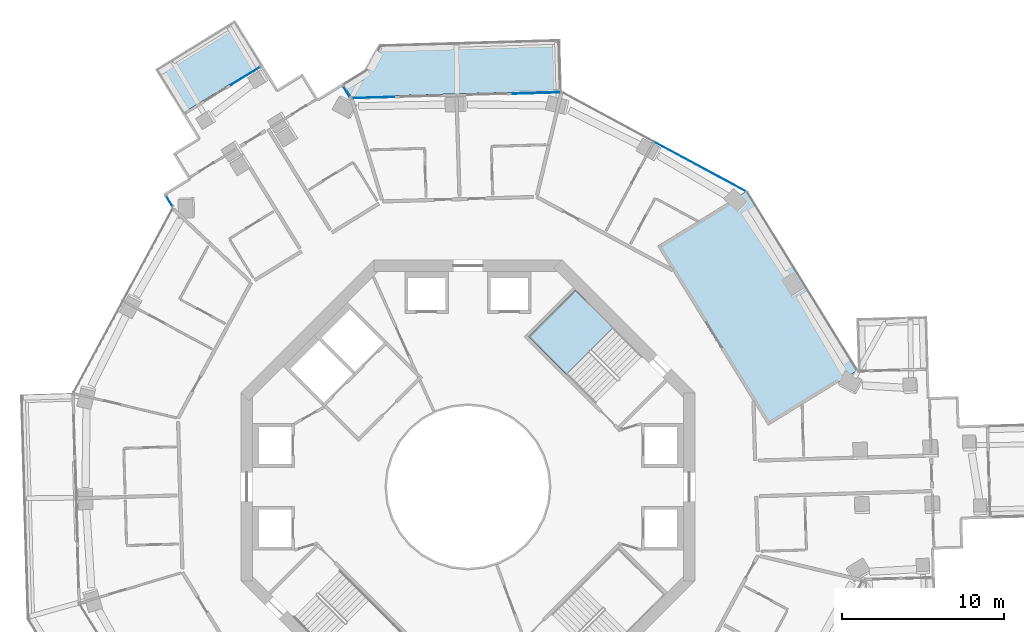
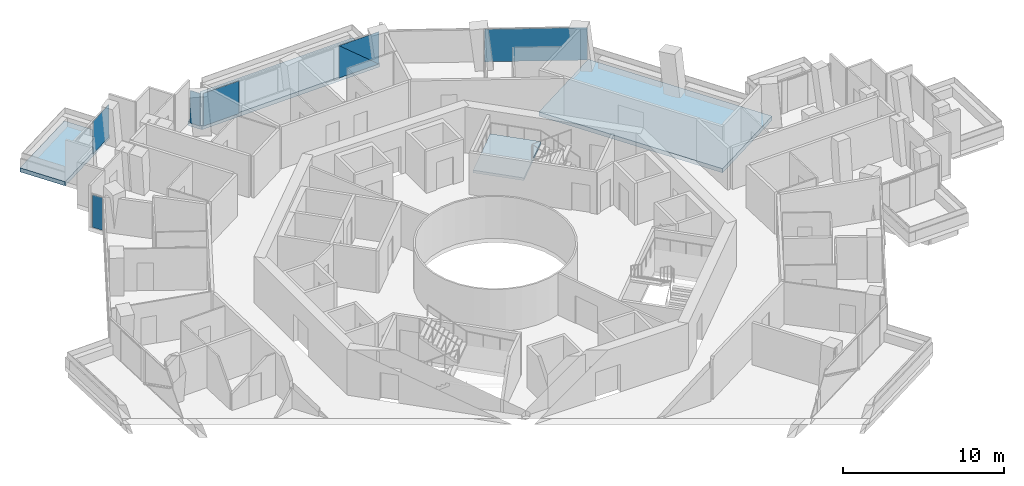
# One storey, part 12 of 22: 7 plates, 4 slabs, 6 elements without a shape of their own.
"""IFC4 building model written with IfcOpenShell, lengths in metres."""

from ifc_helpers import new_model, si_unit, direction, frame, origin, origin_2d, place, context, subcontext, project, spatial, polyline, rectangle, outline, extrude, material, layer, layer_set, type_object, element, aggregate, save


model = new_model("IFC4")

# Units and contexts
model_context = context("Model", 3, precision=1e-05, world=origin(), true_north=direction((0.0, 1.0)))
body_context = subcontext(model_context, "Body", "Model", "MODEL_VIEW")
ifc_project = project(units=[si_unit("LENGTHUNIT", "METRE"), si_unit("AREAUNIT", "SQUARE_METRE"), si_unit("VOLUMEUNIT", "CUBIC_METRE"), si_unit("PLANEANGLEUNIT", "RADIAN"), si_unit("MASSUNIT", "GRAM", prefix="KILO")], contexts=[model_context])

# Site, building, storey
site_placement = place(None, origin())
site = spatial("IfcSite", under=ifc_project, at=site_placement, CompositionType="ELEMENT")
building_placement = place(site_placement, origin())
building = spatial("IfcBuilding", under=site, at=building_placement, Name="Verdalira Terraces Hotel", CompositionType="ELEMENT")
storey_placement = place(building_placement, frame((0.0, 0.0, 162.0)))
storey = spatial("IfcBuildingStorey", under=building, at=storey_placement, Name="L39", CompositionType="ELEMENT", Elevation=162.0)

# Slabs
ifc_material_1 = material(Name="Precast concrete C40/50", Category="concrete")
ifc_layer_1 = layer(ifc_material_1, 0.31005859375)
ifc_layer_set_1 = layer_set([ifc_layer_1], Name="Balcony deck 310")
slab_type_1 = type_object("IfcSlabType", Name="Balcony deck 310", PredefinedType="FLOOR", material=ifc_layer_set_1)
slab_1_placement = place(storey_placement, frame((0.0, 0.0, -0.310059)))
element("IfcSlab", 1, at=slab_1_placement, inside=storey, type_object=slab_type_1, Name="Balcony deck", PredefinedType="FLOOR", context=body_context, shape_type="SweptSolid", body=[
    extrude(outline(polyline([(-19.304199, 25.758545), (-17.623535, 23.035156), (-12.687744, 26.081299), (-14.368408, 28.804443), (-19.304199, 25.758545)])), origin(), (0.0, 0.0, 1.0), 0.310059),
])
slab_2_placement = place(storey_placement, frame((0.0, 0.0, -0.310059)))
element("IfcSlab", 2, at=slab_2_placement, inside=storey, type_object=slab_type_1, Name="Balcony deck", PredefinedType="FLOOR", context=body_context, shape_type="SweptSolid", body=[
    extrude(outline(polyline([(-5.455566, 27.310059), (-6.259521, 25.817871), (-7.733643, 24.908447), (-7.208496, 24.057373), (5.786133, 24.438477), (5.692139, 27.637207), (-5.455566, 27.310059)])), origin(), (0.0, 0.0, 1.0), 0.310059),
])

# Curtain wall, plate
ifc_material_2 = material(Name="Clear glass", Category="glass")
ifc_layer_2 = layer(ifc_material_2, 0.14990234375)
ifc_layer_set_2 = layer_set([ifc_layer_2], Name="CW1 curtain wall")
curtain_wall_type_1 = type_object("IfcCurtainWallType", Name="CW1 curtain wall", PredefinedType="NOTDEFINED", material=ifc_layer_set_2)
curtain_wall_1_placement = place(storey_placement, origin())
curtain_wall_1 = element("IfcCurtainWall", 3, at=curtain_wall_1_placement, inside=storey, type_object=curtain_wall_type_1, Name="CW1 curtain wall L39 edge 40", PredefinedType="NOTDEFINED")
ifc_material_3 = material(Name="Clear glass", Category="glass")
ifc_layer_3 = layer(ifc_material_3, 0.028076171875)
ifc_layer_set_3 = layer_set([ifc_layer_3], Name="CW1 glass unit 28")
plate_type_1 = type_object("IfcPlateType", Name="CW1 glass unit 28", PredefinedType="CURTAIN_PANEL", material=ifc_layer_set_3)
plate_1_placement = place(storey_placement, frame((14.320312, 19.75415, 0.0), z_axis=(0.0, 0.0, 1.0), x_axis=(-0.880311812, 0.474395525, 0.0)))
plate_1 = element("IfcPlate", 4, at=plate_1_placement, type_object=plate_type_1, Name="CW1 glass unit", PredefinedType="CURTAIN_PANEL", context=body_context, shape_type="SweptSolid", body=[
    extrude(rectangle(XDim=6.409912, YDim=0.028076, at=origin_2d()), origin(), (0.0, 0.0, 1.0), 2.475098),
])
aggregate(curtain_wall_1, [plate_1])

# Curtain wall, plates
curtain_wall_2_placement = place(storey_placement, origin())
curtain_wall_2 = element("IfcCurtainWall", 5, at=curtain_wall_2_placement, inside=storey, type_object=curtain_wall_type_1, Name="CW1 curtain wall L39 edge 41", PredefinedType="NOTDEFINED")
plate_2_placement = place(storey_placement, frame((4.226807, 24.303711, 1.237549), z_axis=(-0.02931733, 0.999570155, 0.0), x_axis=(-0.999570155, -0.02931733, 0.0)))
plate_2 = element("IfcPlate", 6, at=plate_2_placement, type_object=plate_type_1, Name="CW1 glass unit", PredefinedType="CURTAIN_PANEL", context=body_context, shape_type="SweptSolid", body=[
    extrude(outline(polyline([(-1.462402, -1.237549), (1.462402, -1.237549), (1.462402, 1.237549), (-1.462402, -1.237549)])), origin(), (0.0, 0.0, 1.0), 0.028076),
])
plate_3_placement = place(storey_placement, frame((4.227539, 24.274658, 1.237549), z_axis=(-0.02931733, 0.999570155, 0.0), x_axis=(-0.999570155, -0.02931733, 0.0)))
plate_3 = element("IfcPlate", 7, at=plate_3_placement, type_object=plate_type_1, Name="CW1 glass unit", PredefinedType="CURTAIN_PANEL", context=body_context, shape_type="SweptSolid", body=[
    extrude(outline(polyline([(-1.462402, -1.237549), (1.462402, 1.237549), (-1.462402, 1.237549), (-1.462402, -1.237549)])), origin(), (0.0, 0.0, 1.0), 0.028076),
])
plate_4_placement = place(storey_placement, frame((-5.844482, 24.022217, 0.0), z_axis=(0.0, 0.0, 1.0), x_axis=(-0.999570155, -0.02931733, 0.0)))
plate_4 = element("IfcPlate", 8, at=plate_4_placement, type_object=plate_type_1, Name="CW1 glass unit", PredefinedType="CURTAIN_PANEL", context=body_context, shape_type="SweptSolid", body=[
    extrude(rectangle(XDim=2.604492, YDim=0.028076, at=origin_2d()), origin(), (0.0, 0.0, 1.0), 2.475098),
])
aggregate(curtain_wall_2, [plate_2, plate_3, plate_4])

# Curtain wall, plate
ifc_material_4 = material(Name="Clear glass", Category="glass")
ifc_layer_4 = layer(ifc_material_4, 0.14990234375)
ifc_layer_set_4 = layer_set([ifc_layer_4], Name="CW2 curtain wall")
curtain_wall_type_2 = type_object("IfcCurtainWallType", Name="CW2 curtain wall", PredefinedType="NOTDEFINED", material=ifc_layer_set_4)
curtain_wall_3_placement = place(storey_placement, origin())
curtain_wall_3 = element("IfcCurtainWall", 9, at=curtain_wall_3_placement, inside=storey, type_object=curtain_wall_type_2, Name="CW2 curtain wall L39 edge 0", PredefinedType="NOTDEFINED")
ifc_material_5 = material(Name="Clear glass", Category="glass")
ifc_layer_5 = layer(ifc_material_5, 0.031982421875)
ifc_layer_set_5 = layer_set([ifc_layer_5], Name="CW2 glass unit 32")
plate_type_2 = type_object("IfcPlateType", Name="CW2 glass unit 32", PredefinedType="CURTAIN_PANEL", material=ifc_layer_set_5)
plate_5_placement = place(storey_placement, frame((-7.495361, 24.379639, 0.0), z_axis=(0.0, 0.0, 1.0), x_axis=(-0.52517463, 0.850994482, 0.0)))
plate_5 = element("IfcPlate", 10, at=plate_5_placement, type_object=plate_type_2, Name="CW2 glass unit", PredefinedType="CURTAIN_PANEL", context=body_context, shape_type="SweptSolid", body=[
    extrude(rectangle(XDim=0.709961, YDim=0.031982, at=origin_2d()), origin(), (0.0, 0.0, 1.0), 2.475098),
])
aggregate(curtain_wall_3, [plate_5])

curtain_wall_4_placement = place(storey_placement, origin())
curtain_wall_4 = element("IfcCurtainWall", 11, at=curtain_wall_4_placement, inside=storey, type_object=curtain_wall_type_2, Name="CW2 curtain wall L39 edge 10", PredefinedType="NOTDEFINED")
plate_6_placement = place(storey_placement, frame((-18.430664, 17.631104, 0.0), z_axis=(0.0, 0.0, 1.0), x_axis=(0.52517463, -0.850994482, 0.0)))
plate_6 = element("IfcPlate", 12, at=plate_6_placement, type_object=plate_type_2, Name="CW2 glass unit", PredefinedType="CURTAIN_PANEL", context=body_context, shape_type="SweptSolid", body=[
    extrude(rectangle(XDim=0.709961, YDim=0.031982, at=origin_2d()), origin(), (0.0, 0.0, 1.0), 2.475098),
])
aggregate(curtain_wall_4, [plate_6])

ifc_material_6 = material(Name="Clear glass", Category="glass")
ifc_layer_6 = layer(ifc_material_6, 0.14990234375)
ifc_layer_set_6 = layer_set([ifc_layer_6], Name="CW3 curtain wall")
curtain_wall_type_3 = type_object("IfcCurtainWallType", Name="CW3 curtain wall", PredefinedType="NOTDEFINED", material=ifc_layer_set_6)
curtain_wall_5_placement = place(storey_placement, origin())
curtain_wall_5 = element("IfcCurtainWall", 13, at=curtain_wall_5_placement, inside=storey, type_object=curtain_wall_type_3, Name="CW3 curtain wall L39 edge 5", PredefinedType="NOTDEFINED")
ifc_material_7 = material(Name="Clear glass", Category="glass")
ifc_layer_7 = layer(ifc_material_7, 0.035888671875)
ifc_layer_set_7 = layer_set([ifc_layer_7], Name="CW3 glass unit 36")
plate_type_3 = type_object("IfcPlateType", Name="CW3 glass unit 36", PredefinedType="CURTAIN_PANEL", material=ifc_layer_set_7)
plate_7_placement = place(storey_placement, frame((-13.729248, 25.350586, 0.0), z_axis=(0.0, 0.0, 1.0), x_axis=(-0.850994482, -0.52517463, 0.0)))
plate_7 = element("IfcPlate", 14, at=plate_7_placement, type_object=plate_type_3, Name="CW3 glass unit", PredefinedType="CURTAIN_PANEL", context=body_context, shape_type="SweptSolid", body=[
    extrude(rectangle(XDim=2.080078, YDim=0.035889, at=origin_2d()), origin(), (0.0, 0.0, 1.0), 2.475098),
])
aggregate(curtain_wall_5, [plate_7])

# Stair, slab
ifc_material_8 = material(Name="Concrete C40", Category="concrete")
stair_type = type_object("IfcStairType", Name="Core stair 20 risers 2000 mm wide", PredefinedType="HALF_TURN_STAIR", material=ifc_material_8)
stair_placement = place(storey_placement, origin())
stair = element("IfcStair", 15, at=stair_placement, inside=storey, type_object=stair_type, Name="L39 Exit stair ST1", PredefinedType="HALF_TURN_STAIR")
ifc_material_9 = material(Name="Concrete C40", Category="concrete")
ifc_layer_8 = layer(ifc_material_9, 0.199951171875)
ifc_layer_set_8 = layer_set([ifc_layer_8], Name="Core stair landing 200 mm")
slab_type_2 = type_object("IfcSlabType", Name="Core stair landing 200 mm", PredefinedType="LANDING", material=ifc_layer_set_8)
slab_3_placement = place(storey_placement, frame((0.0, 0.0, 1.550049)))
slab_3 = element("IfcSlab", 16, at=slab_3_placement, type_object=slab_type_2, Name="ST1 landing 1", PredefinedType="LANDING", context=body_context, shape_type="SweptSolid", body=[
    extrude(outline(polyline([(8.966553, 9.842529), (6.646729, 12.162354), (3.747559, 9.263184), (6.067383, 6.943359), (8.966553, 9.842529)])), origin(), (0.0, 0.0, 1.0), 0.199951),
])
aggregate(stair, [slab_3])

# Slab
ifc_material_10 = material(Name="Concrete C40", Category="concrete")
ifc_layer_9 = layer(ifc_material_10, 0.31005859375)
ifc_layer_set_9 = layer_set([ifc_layer_9], Name="Loggia floor deck 310 C40")
slab_type_3 = type_object("IfcSlabType", Name="Loggia floor deck 310 C40", PredefinedType="FLOOR", material=ifc_layer_set_9)
slab_4_placement = place(storey_placement, frame((0.0, 0.0, -0.310059)))
element("IfcSlab", 17, at=slab_4_placement, inside=storey, type_object=slab_type_3, Name="Loggia deck L39", PredefinedType="FLOOR", context=body_context, shape_type="SweptSolid", body=[
    extrude(outline(polyline([(18.525879, 3.794922), (24.057373, 7.208496), (17.22998, 18.27124), (11.698486, 14.857666), (18.525879, 3.794922)])), origin(), (0.0, 0.0, 1.0), 0.310059),
])

save(model, "model.ifc")
